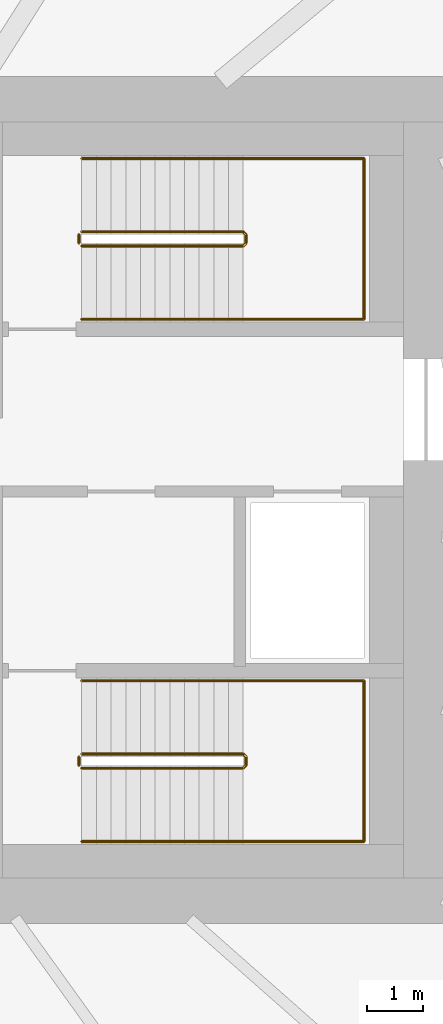
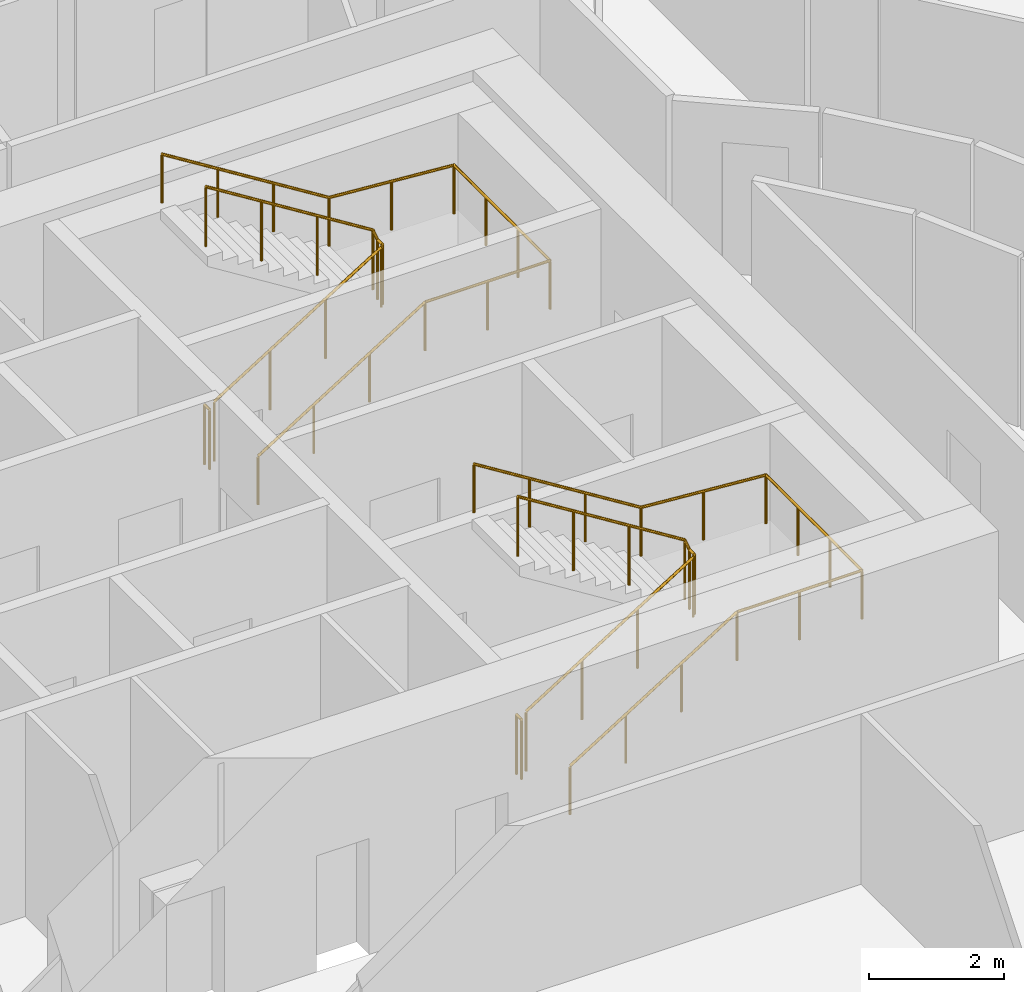
# One storey, part 13 of 13: 6 railings.
"""IFC4 building model written with IfcOpenShell, lengths in metres."""

from ifc_helpers import new_model, si_unit, direction, frame, origin, origin_2d, place, context, subcontext, project, spatial, circle, extrude, material, type_object, element, save


model = new_model("IFC4")

# Units and contexts
model_context = context("Model", 3, precision=1e-05, world=origin(), true_north=direction((0.0, 1.0)))
body_context = subcontext(model_context, "Body", "Model", "MODEL_VIEW")
ifc_project = project(units=[si_unit("LENGTHUNIT", "METRE"), si_unit("AREAUNIT", "SQUARE_METRE"), si_unit("VOLUMEUNIT", "CUBIC_METRE"), si_unit("PLANEANGLEUNIT", "RADIAN"), si_unit("MASSUNIT", "GRAM", prefix="KILO")], contexts=[model_context])

# Site, building, storey
site_placement = place(None, origin())
site = spatial("IfcSite", under=ifc_project, at=site_placement, CompositionType="ELEMENT")
building_placement = place(site_placement, origin())
building = spatial("IfcBuilding", under=site, at=building_placement, Name="Rubra Terraces Tower", CompositionType="ELEMENT")
storey_placement = place(building_placement, frame((0.0, 0.0, 209.10009765625)))
storey = spatial("IfcBuildingStorey", under=building, at=storey_placement, Name="L51", CompositionType="ELEMENT", Elevation=209.10009765625)

# Railings
ifc_material = material(Name="Stainless steel", Category="steel")
railing_type_1 = type_object("IfcRailingType", Name="Core stair guard 1100", PredefinedType="GUARDRAIL", material=ifc_material)
railing_1_placement = place(storey_placement, frame((6.5, 9.0, 0.162353515625)))
element("IfcRailing", 1, at=railing_1_placement, inside=storey, type_object=railing_type_1, Name="L51 stair S3 guard 1", PredefinedType="GUARDRAIL", context=body_context, shape_type="SweptSolid", body=[
    extrude(circle(Radius=0.02392578125, at=origin_2d()), frame((0.0, 0.0, 1.076171875), z_axis=(0.847994237388, 0.0, 0.530005446535), x_axis=(0.0, 1.0, 0.0)), (0.0, 0.0, 1.0), 3.372802734375),
    extrude(circle(Radius=0.02392578125, at=origin_2d()), frame((2.860107421875, 0.0, 2.86376953125), z_axis=(0.705375805398, 0.708833529934, 0.0), x_axis=(-0.708833529934, 0.705375805398, 0.0)), (0.0, 0.0, 1.0), 0.070556640625),
    extrude(circle(Radius=0.02392578125, at=origin_2d()), frame((2.909912109375, 0.050048828125, 2.86376953125), z_axis=(0.0, 1.0, 0.0), x_axis=(-1.0, 0.0, 0.0)), (0.0, 0.0, 1.0), 0.14990234375),
    extrude(circle(Radius=0.02392578125, at=origin_2d()), frame((2.909912109375, 0.199951171875, 2.86376953125), z_axis=(-0.281314826061, 0.282693820306, 0.917031173188), x_axis=(-0.708833529934, -0.705375805398, 0.0)), (0.0, 0.0, 1.0), 0.177001953125),
    extrude(circle(Radius=0.02392578125, at=origin_2d()), frame((2.860107421875, 0.25, 3.02587890625), z_axis=(-0.847994237388, 0.0, 0.530005446535), x_axis=(0.0, -1.0, 0.0)), (0.0, 0.0, 1.0), 3.372802734375),
    extrude(circle(Radius=0.02099609375, at=origin_2d()), origin(), (0.0, 0.0, 1.0), 1.052001953125),
    extrude(circle(Radius=0.02099609375, at=origin_2d()), frame((0.953369140625, 0.0, 0.595947265625)), (0.0, 0.0, 1.0), 1.052001953125),
    extrude(circle(Radius=0.02099609375, at=origin_2d()), frame((1.90673828125, 0.0, 1.191650390625)), (0.0, 0.0, 1.0), 1.052001953125),
    extrude(circle(Radius=0.02099609375, at=origin_2d()), frame((2.860107421875, 0.0, 1.78759765625)), (0.0, 0.0, 1.0), 1.052001953125),
    extrude(circle(Radius=0.02099609375, at=origin_2d()), frame((2.909912109375, 0.050048828125, 1.78759765625)), (0.0, 0.0, 1.0), 1.052001953125),
    extrude(circle(Radius=0.02099609375, at=origin_2d()), frame((2.909912109375, 0.199951171875, 1.78759765625)), (0.0, 0.0, 1.0), 1.052001953125),
    extrude(circle(Radius=0.02099609375, at=origin_2d()), frame((2.860107421875, 0.25, 1.949951171875)), (0.0, 0.0, 1.0), 1.052001953125),
    extrude(circle(Radius=0.02099609375, at=origin_2d()), frame((1.90673828125, 0.25, 2.5458984375)), (0.0, 0.0, 1.0), 1.052001953125),
    extrude(circle(Radius=0.02099609375, at=origin_2d()), frame((0.953369140625, 0.25, 3.1416015625)), (0.0, 0.0, 1.0), 1.052001953125),
    extrude(circle(Radius=0.02099609375, at=origin_2d()), frame((0.0, 0.25, 3.737548828125)), (0.0, 0.0, 1.0), 1.052001953125),
])
railing_2_placement = place(storey_placement, frame((6.449951171875, 9.050048828125, 0.0)))
element("IfcRailing", 2, at=railing_2_placement, inside=storey, type_object=railing_type_1, Name="L51 stair S3 guard 2", PredefinedType="GUARDRAIL", context=body_context, shape_type="SweptSolid", body=[
    extrude(circle(Radius=0.02392578125, at=origin_2d()), frame((0.0, 0.0, 1.076171875), z_axis=(0.0, 1.0, 0.0), x_axis=(-1.0, 0.0, 0.0)), (0.0, 0.0, 1.0), 0.14990234375),
    extrude(circle(Radius=0.02099609375, at=origin_2d()), origin(), (0.0, 0.0, 1.0), 1.052001953125),
    extrude(circle(Radius=0.02099609375, at=origin_2d()), frame((0.0, 0.14990234375, 0.0)), (0.0, 0.0, 1.0), 1.052001953125),
])
railing_3_placement = place(storey_placement, frame((6.5, -0.25, 0.162353515625)))
element("IfcRailing", 3, at=railing_3_placement, inside=storey, type_object=railing_type_1, Name="L51 stair S4 guard 1", PredefinedType="GUARDRAIL", context=body_context, shape_type="SweptSolid", body=[
    extrude(circle(Radius=0.02392578125, at=origin_2d()), frame((0.0, 0.0, 1.076171875), z_axis=(0.847994237388, 0.0, 0.530005446535), x_axis=(0.0, 1.0, 0.0)), (0.0, 0.0, 1.0), 3.372802734375),
    extrude(circle(Radius=0.02392578125, at=origin_2d()), frame((2.860107421875, 0.0, 2.86376953125), z_axis=(0.705375805398, 0.708833529934, 0.0), x_axis=(-0.708833529934, 0.705375805398, 0.0)), (0.0, 0.0, 1.0), 0.070556640625),
    extrude(circle(Radius=0.02392578125, at=origin_2d()), frame((2.909912109375, 0.050048828125, 2.86376953125), z_axis=(0.0, 1.0, 0.0), x_axis=(-1.0, 0.0, 0.0)), (0.0, 0.0, 1.0), 0.14990234375),
    extrude(circle(Radius=0.02392578125, at=origin_2d()), frame((2.909912109375, 0.199951171875, 2.86376953125), z_axis=(-0.281314826061, 0.282693820306, 0.917031173188), x_axis=(-0.708833529934, -0.705375805398, 0.0)), (0.0, 0.0, 1.0), 0.177001953125),
    extrude(circle(Radius=0.02392578125, at=origin_2d()), frame((2.860107421875, 0.25, 3.02587890625), z_axis=(-0.847994237388, 0.0, 0.530005446535), x_axis=(0.0, -1.0, 0.0)), (0.0, 0.0, 1.0), 3.372802734375),
    extrude(circle(Radius=0.02099609375, at=origin_2d()), origin(), (0.0, 0.0, 1.0), 1.052001953125),
    extrude(circle(Radius=0.02099609375, at=origin_2d()), frame((0.953369140625, 0.0, 0.595947265625)), (0.0, 0.0, 1.0), 1.052001953125),
    extrude(circle(Radius=0.02099609375, at=origin_2d()), frame((1.90673828125, 0.0, 1.191650390625)), (0.0, 0.0, 1.0), 1.052001953125),
    extrude(circle(Radius=0.02099609375, at=origin_2d()), frame((2.860107421875, 0.0, 1.78759765625)), (0.0, 0.0, 1.0), 1.052001953125),
    extrude(circle(Radius=0.02099609375, at=origin_2d()), frame((2.909912109375, 0.050048828125, 1.78759765625)), (0.0, 0.0, 1.0), 1.052001953125),
    extrude(circle(Radius=0.02099609375, at=origin_2d()), frame((2.909912109375, 0.199951171875, 1.78759765625)), (0.0, 0.0, 1.0), 1.052001953125),
    extrude(circle(Radius=0.02099609375, at=origin_2d()), frame((2.860107421875, 0.25, 1.949951171875)), (0.0, 0.0, 1.0), 1.052001953125),
    extrude(circle(Radius=0.02099609375, at=origin_2d()), frame((1.90673828125, 0.25, 2.5458984375)), (0.0, 0.0, 1.0), 1.052001953125),
    extrude(circle(Radius=0.02099609375, at=origin_2d()), frame((0.953369140625, 0.25, 3.1416015625)), (0.0, 0.0, 1.0), 1.052001953125),
    extrude(circle(Radius=0.02099609375, at=origin_2d()), frame((0.0, 0.25, 3.737548828125)), (0.0, 0.0, 1.0), 1.052001953125),
])
railing_4_placement = place(storey_placement, frame((6.449951171875, -0.199951171875, 0.0)))
element("IfcRailing", 4, at=railing_4_placement, inside=storey, type_object=railing_type_1, Name="L51 stair S4 guard 2", PredefinedType="GUARDRAIL", context=body_context, shape_type="SweptSolid", body=[
    extrude(circle(Radius=0.02392578125, at=origin_2d()), frame((0.0, 0.0, 1.076171875), z_axis=(0.0, 1.0, 0.0), x_axis=(-1.0, 0.0, 0.0)), (0.0, 0.0, 1.0), 0.14990234375),
    extrude(circle(Radius=0.02099609375, at=origin_2d()), origin(), (0.0, 0.0, 1.0), 1.052001953125),
    extrude(circle(Radius=0.02099609375, at=origin_2d()), frame((0.0, 0.14990234375, 0.0)), (0.0, 0.0, 1.0), 1.052001953125),
])
railing_type_2 = type_object("IfcRailingType", Name="Core stair handrail 900", PredefinedType="HANDRAIL", material=ifc_material)
railing_5_placement = place(storey_placement, frame((6.5, 7.699951171875, 0.162353515625)))
element("IfcRailing", 5, at=railing_5_placement, inside=storey, type_object=railing_type_2, Name="L51 stair S3 handrail 1", PredefinedType="HANDRAIL", context=body_context, shape_type="SweptSolid", body=[
    extrude(circle(Radius=0.02392578125, at=origin_2d()), frame((0.0, 0.0, 0.8759765625), z_axis=(0.847994237388, 0.0, 0.530005446535), x_axis=(0.0, 1.0, 0.0)), (0.0, 0.0, 1.0), 3.372802734375),
    extrude(circle(Radius=0.02392578125, at=origin_2d()), frame((2.860107421875, 0.0, 2.66357421875), z_axis=(1.0, 0.0, 0.0), x_axis=(0.0, 1.0, 0.0)), (0.0, 0.0, 1.0), 2.139892578125),
    extrude(circle(Radius=0.02392578125, at=origin_2d()), frame((5.0, 0.0, 2.66357421875), z_axis=(0.0, 1.0, 0.0), x_axis=(-1.0, 0.0, 0.0)), (0.0, 0.0, 1.0), 2.85009765625),
    extrude(circle(Radius=0.02392578125, at=origin_2d()), frame((5.0, 2.85009765625, 2.66357421875), z_axis=(-0.9971342424, 0.0, 0.075652512401), x_axis=(0.0, -1.0, 0.0)), (0.0, 0.0, 1.0), 2.14599609375),
    extrude(circle(Radius=0.02392578125, at=origin_2d()), frame((2.860107421875, 2.85009765625, 2.82568359375), z_axis=(-0.847994237388, 0.0, 0.530005446535), x_axis=(0.0, -1.0, 0.0)), (0.0, 0.0, 1.0), 3.372802734375),
    extrude(circle(Radius=0.02099609375, at=origin_2d()), origin(), (0.0, 0.0, 1.0), 0.851806640625),
    extrude(circle(Radius=0.02099609375, at=origin_2d()), frame((0.953369140625, 0.0, 0.595947265625)), (0.0, 0.0, 1.0), 0.851806640625),
    extrude(circle(Radius=0.02099609375, at=origin_2d()), frame((1.90673828125, 0.0, 1.191650390625)), (0.0, 0.0, 1.0), 0.851806640625),
    extrude(circle(Radius=0.02099609375, at=origin_2d()), frame((2.860107421875, 0.0, 1.78759765625)), (0.0, 0.0, 1.0), 0.851806640625),
    extrude(circle(Radius=0.02099609375, at=origin_2d()), frame((3.93017578125, 0.0, 1.78759765625)), (0.0, 0.0, 1.0), 0.851806640625),
    extrude(circle(Radius=0.02099609375, at=origin_2d()), frame((5.0, 0.0, 1.78759765625)), (0.0, 0.0, 1.0), 0.851806640625),
    extrude(circle(Radius=0.02099609375, at=origin_2d()), frame((5.0, 0.949951171875, 1.78759765625)), (0.0, 0.0, 1.0), 0.851806640625),
    extrude(circle(Radius=0.02099609375, at=origin_2d()), frame((5.0, 1.900146484375, 1.78759765625)), (0.0, 0.0, 1.0), 0.851806640625),
    extrude(circle(Radius=0.02099609375, at=origin_2d()), frame((5.0, 2.85009765625, 1.78759765625)), (0.0, 0.0, 1.0), 0.851806640625),
    extrude(circle(Radius=0.02099609375, at=origin_2d()), frame((3.93017578125, 2.85009765625, 1.86865234375)), (0.0, 0.0, 1.0), 0.851806640625),
    extrude(circle(Radius=0.02099609375, at=origin_2d()), frame((2.860107421875, 2.85009765625, 1.949951171875)), (0.0, 0.0, 1.0), 0.851806640625),
    extrude(circle(Radius=0.02099609375, at=origin_2d()), frame((1.90673828125, 2.85009765625, 2.5458984375)), (0.0, 0.0, 1.0), 0.851806640625),
    extrude(circle(Radius=0.02099609375, at=origin_2d()), frame((0.953369140625, 2.85009765625, 3.1416015625)), (0.0, 0.0, 1.0), 0.851806640625),
    extrude(circle(Radius=0.02099609375, at=origin_2d()), frame((0.0, 2.85009765625, 3.737548828125)), (0.0, 0.0, 1.0), 0.851806640625),
])
railing_6_placement = place(storey_placement, frame((6.5, -1.550048828125, 0.162353515625)))
element("IfcRailing", 6, at=railing_6_placement, inside=storey, type_object=railing_type_2, Name="L51 stair S4 handrail 1", PredefinedType="HANDRAIL", context=body_context, shape_type="SweptSolid", body=[
    extrude(circle(Radius=0.02392578125, at=origin_2d()), frame((0.0, 0.0, 0.8759765625), z_axis=(0.847994237388, 0.0, 0.530005446535), x_axis=(0.0, 1.0, 0.0)), (0.0, 0.0, 1.0), 3.372802734375),
    extrude(circle(Radius=0.02392578125, at=origin_2d()), frame((2.860107421875, 0.0, 2.66357421875), z_axis=(1.0, 0.0, 0.0), x_axis=(0.0, 1.0, 0.0)), (0.0, 0.0, 1.0), 2.139892578125),
    extrude(circle(Radius=0.02392578125, at=origin_2d()), frame((5.0, 0.0, 2.66357421875), z_axis=(0.0, 1.0, 0.0), x_axis=(-1.0, 0.0, 0.0)), (0.0, 0.0, 1.0), 2.85009765625),
    extrude(circle(Radius=0.02392578125, at=origin_2d()), frame((5.0, 2.85009765625, 2.66357421875), z_axis=(-0.9971342424, 0.0, 0.075652512401), x_axis=(0.0, -1.0, 0.0)), (0.0, 0.0, 1.0), 2.14599609375),
    extrude(circle(Radius=0.02392578125, at=origin_2d()), frame((2.860107421875, 2.85009765625, 2.82568359375), z_axis=(-0.847994237388, 0.0, 0.530005446535), x_axis=(0.0, -1.0, 0.0)), (0.0, 0.0, 1.0), 3.372802734375),
    extrude(circle(Radius=0.02099609375, at=origin_2d()), origin(), (0.0, 0.0, 1.0), 0.851806640625),
    extrude(circle(Radius=0.02099609375, at=origin_2d()), frame((0.953369140625, 0.0, 0.595947265625)), (0.0, 0.0, 1.0), 0.851806640625),
    extrude(circle(Radius=0.02099609375, at=origin_2d()), frame((1.90673828125, 0.0, 1.191650390625)), (0.0, 0.0, 1.0), 0.851806640625),
    extrude(circle(Radius=0.02099609375, at=origin_2d()), frame((2.860107421875, 0.0, 1.78759765625)), (0.0, 0.0, 1.0), 0.851806640625),
    extrude(circle(Radius=0.02099609375, at=origin_2d()), frame((3.93017578125, 0.0, 1.78759765625)), (0.0, 0.0, 1.0), 0.851806640625),
    extrude(circle(Radius=0.02099609375, at=origin_2d()), frame((5.0, 0.0, 1.78759765625)), (0.0, 0.0, 1.0), 0.851806640625),
    extrude(circle(Radius=0.02099609375, at=origin_2d()), frame((5.0, 0.949951171875, 1.78759765625)), (0.0, 0.0, 1.0), 0.851806640625),
    extrude(circle(Radius=0.02099609375, at=origin_2d()), frame((5.0, 1.900146484375, 1.78759765625)), (0.0, 0.0, 1.0), 0.851806640625),
    extrude(circle(Radius=0.02099609375, at=origin_2d()), frame((5.0, 2.85009765625, 1.78759765625)), (0.0, 0.0, 1.0), 0.851806640625),
    extrude(circle(Radius=0.02099609375, at=origin_2d()), frame((3.93017578125, 2.85009765625, 1.86865234375)), (0.0, 0.0, 1.0), 0.851806640625),
    extrude(circle(Radius=0.02099609375, at=origin_2d()), frame((2.860107421875, 2.85009765625, 1.949951171875)), (0.0, 0.0, 1.0), 0.851806640625),
    extrude(circle(Radius=0.02099609375, at=origin_2d()), frame((1.90673828125, 2.85009765625, 2.5458984375)), (0.0, 0.0, 1.0), 0.851806640625),
    extrude(circle(Radius=0.02099609375, at=origin_2d()), frame((0.953369140625, 2.85009765625, 3.1416015625)), (0.0, 0.0, 1.0), 0.851806640625),
    extrude(circle(Radius=0.02099609375, at=origin_2d()), frame((0.0, 2.85009765625, 3.737548828125)), (0.0, 0.0, 1.0), 0.851806640625),
])

save(model, "model.ifc")
